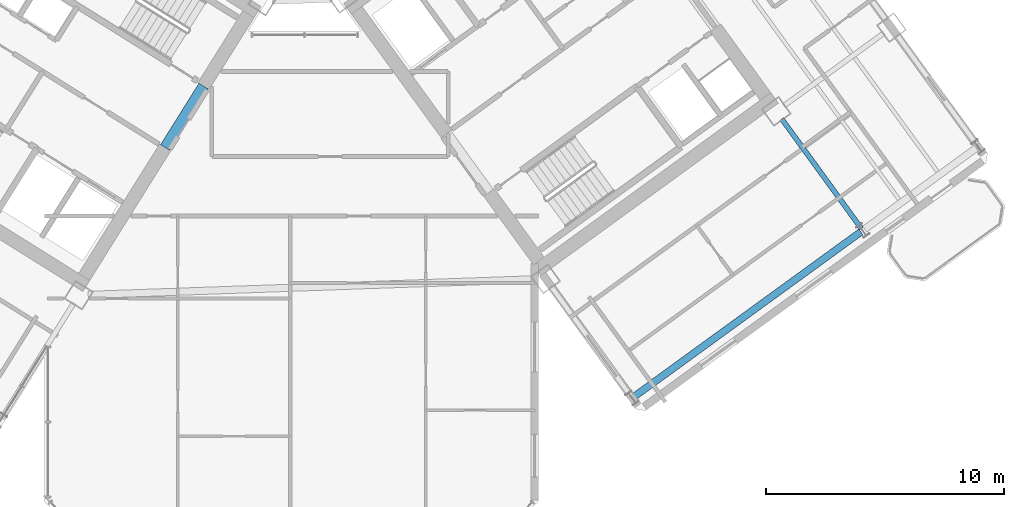
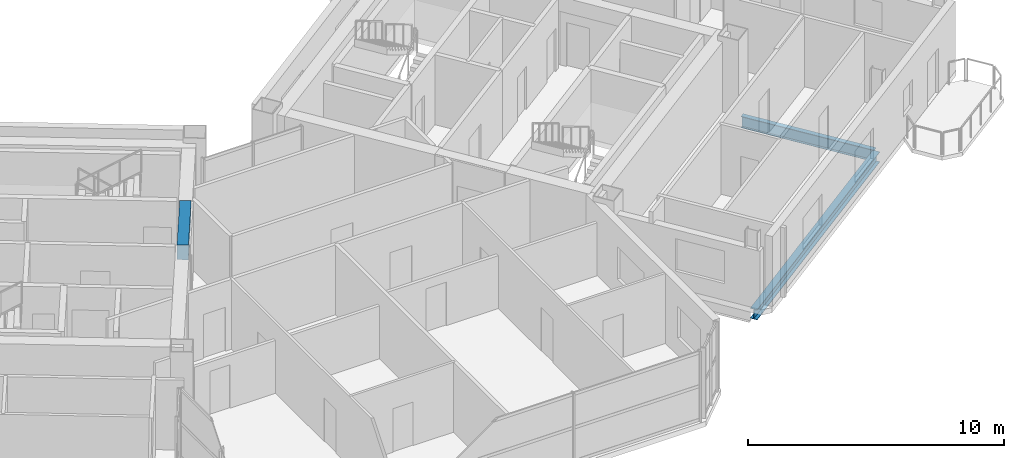
# One storey, part 11 of 25: 3 beams.
"""IFC4 building model written with IfcOpenShell, lengths in metres."""

from ifc_helpers import new_model, si_unit, direction, frame, origin, origin_2d, place, context, subcontext, project, spatial, rectangle, i_section, extrude, source, transform, mapped, material, material_profile, profile_set, type_object, element, save


model = new_model("IFC4")

# Units and contexts
model_context = context("Model", 3, precision=1e-05, world=origin(), true_north=direction((0.0, 1.0)))
body_context = subcontext(model_context, "Body", "Model", "MODEL_VIEW")
ifc_project = project(units=[si_unit("LENGTHUNIT", "METRE"), si_unit("AREAUNIT", "SQUARE_METRE"), si_unit("VOLUMEUNIT", "CUBIC_METRE"), si_unit("PLANEANGLEUNIT", "RADIAN"), si_unit("MASSUNIT", "GRAM", prefix="KILO")], contexts=[model_context])

# Site, building, storey
site_placement = place(None, origin())
site = spatial("IfcSite", under=ifc_project, at=site_placement, CompositionType="ELEMENT")
building_placement = place(site_placement, origin())
building = spatial("IfcBuilding", under=site, at=building_placement, Name="Tlacorven Tower", CompositionType="ELEMENT")
storey_placement = place(building_placement, frame((0.0, 0.0, 162.300048828125)))
storey = spatial("IfcBuildingStorey", under=building, at=storey_placement, Name="L41", CompositionType="ELEMENT", Elevation=162.300048828125)

# Beams
ifc_material_1 = material(Name="Concrete C60/75", Category="concrete")
ifc_material_profile_1 = material_profile(ifc_material_1, rectangle(XDim=0.449951171875, YDim=0.699951171875, at=origin_2d()), Name="RC 450X700")
ifc_profile_set_1 = profile_set([ifc_material_profile_1], Name="Concrete C60/75")
beam_type_1 = type_object("IfcBeamType", Name="BM-LNT-700", PredefinedType="LINTEL", material=ifc_profile_set_1)
shared_shape_1 = source(origin(), body_context, "Body", "SweptSolid", [
    extrude(rectangle(XDim=0.449951171875, YDim=0.699951171875, at=origin_2d()), origin(), (0.0, 0.0, 1.0), 3.050048828125),
])
beam_1_placement = place(storey_placement, frame((38.2998046875, 20.890625, 3.0), z_axis=(-0.529984549635, -0.848007297815, 0.0), x_axis=(0.848007297815, -0.529984549635, 0.0)))
element("IfcBeam", 1, at=beam_1_placement, inside=storey, type_object=beam_type_1, Name="L41 W core coupling lintel beam E1", PredefinedType="LINTEL", context=body_context, shape_type="MappedRepresentation", body=[
    mapped(shared_shape_1, transform((0.0, 0.0, 0.0), scale=1.0)),
])
ifc_material_2 = material(Name="Steel S355J2", Category="steel")
ifc_material_profile_2 = material_profile(ifc_material_2, i_section(OverallWidth=0.300048828125, OverallDepth=0.489990234375, WebThickness=0.011962890625, FlangeThickness=0.02294921875, at=origin_2d()), Name="HEA 500")
ifc_profile_set_2 = profile_set([ifc_material_profile_2], Name="Steel S355J2")
beam_type_2 = type_object("IfcBeamType", Name="BM-SPN-500", PredefinedType="SPANDREL", material=ifc_profile_set_2)
shared_shape_2 = source(origin(), body_context, "Body", "SweptSolid", [
    extrude(i_section(OverallWidth=0.300048828125, OverallDepth=0.489990234375, WebThickness=0.011962890625, FlangeThickness=0.02294921875, at=origin_2d()), origin(), (0.0, 0.0, 1.0), 11.800048828125),
])
beam_2_placement = place(storey_placement, frame((56.4306640625, 7.816162109375, -0.4951171875), z_axis=(0.80900977213, 0.587795192732, 0.0), x_axis=(-0.587795192732, 0.80900977213, 0.0)))
element("IfcBeam", 2, at=beam_2_placement, inside=storey, type_object=beam_type_2, Name="L41 beam BM-L41-EL1-1", PredefinedType="SPANDREL", context=body_context, shape_type="MappedRepresentation", body=[
    mapped(shared_shape_2, transform((0.0, 0.0, 0.0), scale=1.0)),
])
ifc_material_profile_3 = material_profile(ifc_material_2, i_section(OverallWidth=0.2099609375, OverallDepth=0.550048828125, WebThickness=0.010986328125, FlangeThickness=0.01708984375, at=origin_2d()), Name="IPE 550")
ifc_profile_set_3 = profile_set([ifc_material_profile_3], Name="Steel S355J2")
beam_type_3 = type_object("IfcBeamType", Name="BM-TWR-550", PredefinedType="BEAM", material=ifc_profile_set_3)
shared_shape_3 = source(origin(), body_context, "Body", "SweptSolid", [
    extrude(i_section(OverallWidth=0.2099609375, OverallDepth=0.550048828125, WebThickness=0.010986328125, FlangeThickness=0.01708984375, at=origin_2d()), origin(), (0.0, 0.0, 1.0), 5.699951171875),
])
beam_3_placement = place(storey_placement, frame((65.9990234375, 14.891845703125, -0.525146484375), z_axis=(-0.587787066966, 0.809015675935, 0.0), x_axis=(-0.809015675935, -0.587787066966, 0.0)))
element("IfcBeam", 3, at=beam_3_placement, inside=storey, type_object=beam_type_3, Name="L41 beam BM-L41-ET3-1", PredefinedType="BEAM", context=body_context, shape_type="MappedRepresentation", body=[
    mapped(shared_shape_3, transform((0.0, 0.0, 0.0), scale=1.0)),
])

save(model, "model.ifc")
